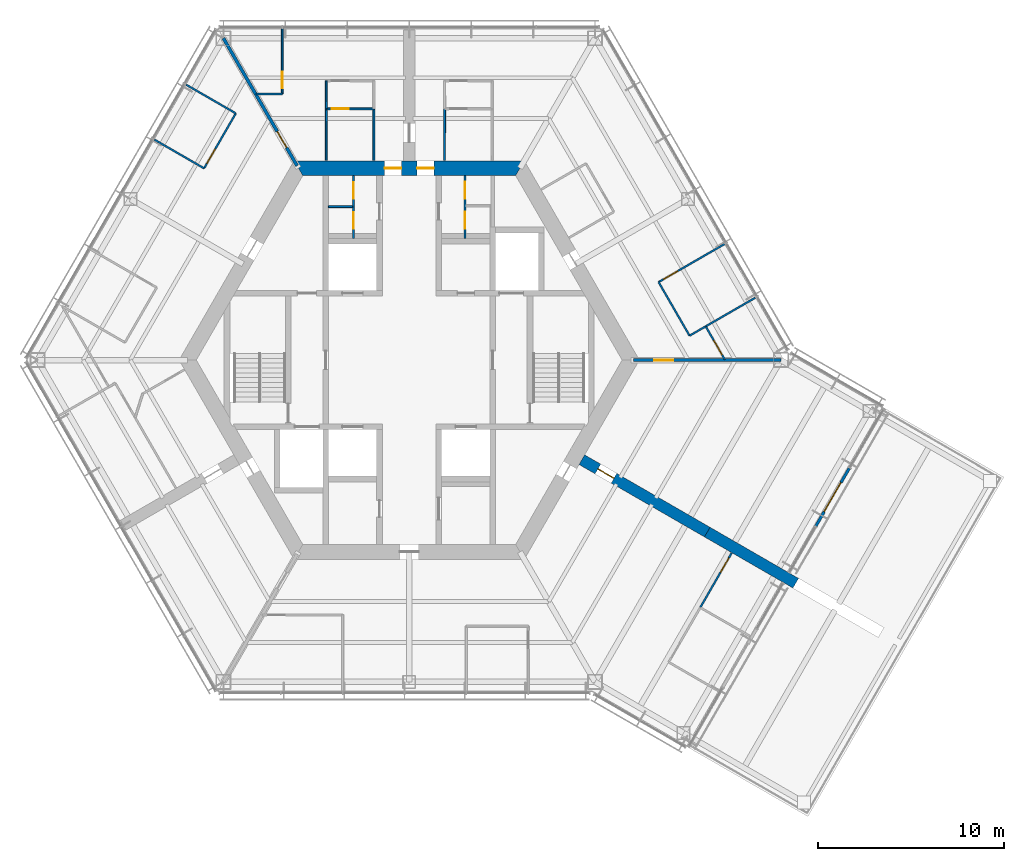
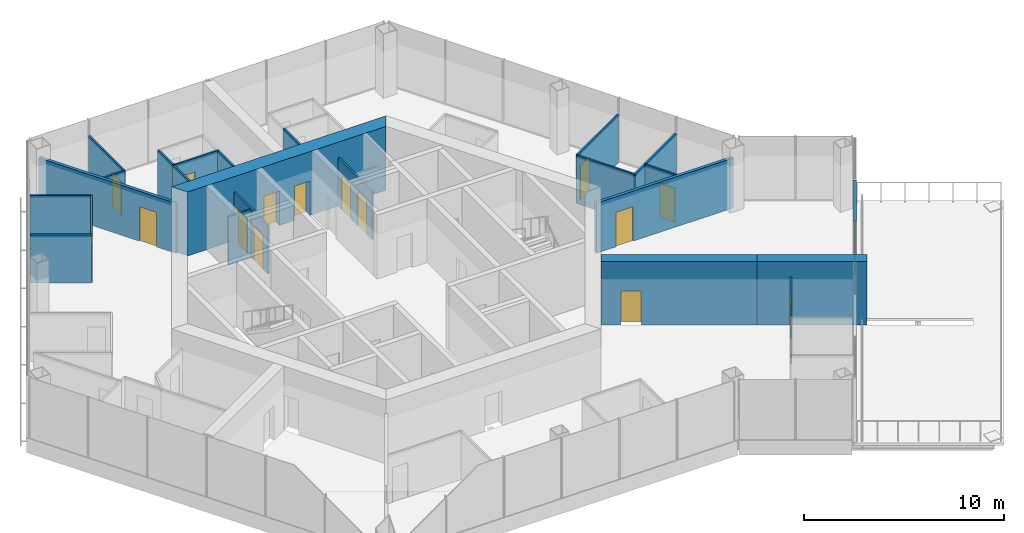
# One storey, part 9 of 13: 25 walls, 16 doors, 16 openings.
"""IFC4 building model written with IfcOpenShell, lengths in metres."""

from ifc_helpers import new_model, si_unit, direction, frame, frame_2d, origin, place, context, subcontext, project, spatial, polyline, rectangle, outline, extrude, material, layer, layer_set, type_object, element, fill, save


model = new_model("IFC4")

# Units and contexts
model_context = context("Model", 3, precision=1e-05, world=origin(), true_north=direction((0.0, 1.0)))
body_context = subcontext(model_context, "Body", "Model", "MODEL_VIEW")
ifc_project = project(units=[si_unit("LENGTHUNIT", "METRE"), si_unit("AREAUNIT", "SQUARE_METRE"), si_unit("VOLUMEUNIT", "CUBIC_METRE"), si_unit("PLANEANGLEUNIT", "RADIAN"), si_unit("MASSUNIT", "GRAM", prefix="KILO")], contexts=[model_context])

# Site, building, storey
site_placement = place(None, origin())
site = spatial("IfcSite", under=ifc_project, at=site_placement, CompositionType="ELEMENT")
building_placement = place(site_placement, origin())
building = spatial("IfcBuilding", under=site, at=building_placement, Name="Kasaneha Research Tower", CompositionType="ELEMENT")
storey_placement = place(building_placement, frame((0.0, 0.0, 267.39990234375)))
storey = spatial("IfcBuildingStorey", under=building, at=storey_placement, Name="L67", CompositionType="ELEMENT", Elevation=267.39990234375)

# Wall, openings, doors
ifc_material_1 = material(Name="Concrete Fc60", Category="concrete")
ifc_layer_1 = layer(ifc_material_1, 0.800048828125)
ifc_layer_set_1 = layer_set([ifc_layer_1], Name="Core wall 800 Fc60")
wall_type_1 = type_object("IfcWallType", Name="Core wall 800 Fc60", PredefinedType="SHEAR", material=ifc_layer_set_1)
wall_1_placement = place(storey_placement, frame((5.961181640625, 10.324951171875, 0.0), z_axis=(0.0, 0.0, 1.0), x_axis=(-1.0, 0.0, 0.0)))
wall_1 = element("IfcWall", 1, at=wall_1_placement, inside=storey, type_object=wall_type_1, Name="Core wall 090 L67", PredefinedType="SHEAR", context=body_context, shape_type="SweptSolid", body=[
    extrude(outline(polyline([(-0.23095703125, -0.39990234375), (4.63623046875, -0.39990234375), (5.5361328125, -0.39990234375), (6.38623046875, -0.39990234375), (7.2861328125, -0.39990234375), (12.1533203125, -0.39990234375), (11.69140625, 0.39990234375), (7.2861328125, 0.39990234375), (6.38623046875, 0.39990234375), (5.5361328125, 0.39990234375), (4.63623046875, 0.39990234375), (0.23095703125, 0.39990234375), (-0.23095703125, -0.39990234375)])), origin(), (0.0, 0.0, 1.0), 3.900146484375),
])
opening_1_placement = place(wall_1_placement, frame((6.38623046875, 0.0, 0.0)))
opening_1 = element("IfcOpeningElement", 2, at=opening_1_placement, cuts=wall_1, Name="Opening L67-D01", PredefinedType="OPENING", context=body_context, shape_type="SweptSolid", body=[
    extrude(rectangle(XDim=0.89990234375, YDim=2.10009765625, at=frame_2d((0.449951171875, 1.050048828125))), frame((0.0, 0.41015625, 0.0), z_axis=(0.0, -1.0, 0.0), x_axis=(1.0, 0.0, 0.0)), (0.0, 0.0, 1.0), 0.820068359375),
])
opening_2_placement = place(wall_1_placement, frame((4.63623046875, 0.0, 0.0)))
opening_2 = element("IfcOpeningElement", 3, at=opening_2_placement, cuts=wall_1, Name="Opening L67-D02", PredefinedType="OPENING", context=body_context, shape_type="SweptSolid", body=[
    extrude(rectangle(XDim=0.89990234375, YDim=2.10009765625, at=frame_2d((0.449951171875, 1.050048828125))), frame((0.0, 0.41015625, 0.0), z_axis=(0.0, -1.0, 0.0), x_axis=(1.0, 0.0, 0.0)), (0.0, 0.0, 1.0), 0.820068359375),
])
ifc_material_2 = material(Name="Steel", Category="steel")
door_type_1 = type_object("IfcDoorType", Name="Toilet door FD20 900x2100", OperationType="NOTDEFINED", PredefinedType="DOOR", material=ifc_material_2)
door_1_placement = place(opening_1_placement, origin())
door_1 = element("IfcDoor", 4, at=door_1_placement, inside=storey, type_object=door_type_1, Name="Core door north 1 L67-D01", OperationType="SINGLE_SWING_RIGHT", OverallHeight=2.10009765625, OverallWidth=0.89990234375, PredefinedType="DOOR", context=body_context, shape_type="SweptSolid", body=[
    extrude(rectangle(XDim=0.89990234375, YDim=2.10009765625, at=frame_2d((0.449951171875, 1.050048828125))), frame((0.0, 0.02490234375, 0.0), z_axis=(0.0, -1.0, 0.0), x_axis=(1.0, 0.0, 0.0)), (0.0, 0.0, 1.0), 0.050048828125),
])
fill(opening_1, door_1)
door_2_placement = place(opening_2_placement, origin())
door_2 = element("IfcDoor", 5, at=door_2_placement, inside=storey, type_object=door_type_1, Name="Core door north 2 L67-D02", OperationType="SINGLE_SWING_LEFT", OverallHeight=2.10009765625, OverallWidth=0.89990234375, PredefinedType="DOOR", context=body_context, shape_type="SweptSolid", body=[
    extrude(rectangle(XDim=0.89990234375, YDim=2.10009765625, at=frame_2d((0.449951171875, 1.050048828125))), frame((0.0, 0.02490234375, 0.0), z_axis=(0.0, -1.0, 0.0), x_axis=(1.0, 0.0, 0.0)), (0.0, 0.0, 1.0), 0.050048828125),
])
fill(opening_2, door_2)

# Wall, opening, door
ifc_material_3 = material(Name="Glass and aluminium", Category="aluminium")
ifc_layer_2 = layer(ifc_material_3, 0.14990234375)
ifc_layer_set_2 = layer_set([ifc_layer_2], Name="Glazed entrance screen 150")
wall_type_2 = type_object("IfcWallType", Name="Glazed entrance screen 150", PredefinedType="STANDARD", material=ifc_layer_set_2)
wall_2_placement = place(storey_placement, frame((21.8828125, -8.93896484375, 0.0), z_axis=(0.0, 0.0, 1.0), x_axis=(0.500012057535, 0.866018442252, 0.0)))
wall_2 = element("IfcWall", 6, at=wall_2_placement, inside=storey, type_object=wall_type_2, Name="Glazed entrance screen L67", PredefinedType="STANDARD", context=body_context, shape_type="SweptSolid", body=[
    extrude(rectangle(XDim=3.60009765625, YDim=0.14990234375, at=frame_2d((1.800048828125, 0.0))), origin(), (0.0, 0.0, 1.0), 3.900146484375),
])
opening_3_placement = place(wall_2_placement, frame((0.89990234375, 0.0, 0.0)))
opening_3 = element("IfcOpeningElement", 7, at=opening_3_placement, cuts=wall_2, Name="Opening L67-ED13", PredefinedType="OPENING", context=body_context, shape_type="SweptSolid", body=[
    extrude(rectangle(XDim=1.800048828125, YDim=2.10009765625, at=frame_2d((0.89990234375, 1.050048828125))), frame((0.0, 0.0849609375, 0.0), z_axis=(0.0, -1.0, 0.0), x_axis=(1.0, 0.0, 0.0)), (0.0, 0.0, 1.0), 0.169921875),
])
ifc_material_4 = material(Name="Glass and aluminium", Category="aluminium")
door_type_2 = type_object("IfcDoorType", Name="Terrace door 1800x2100", OperationType="DOUBLE_DOOR_SINGLE_SWING", PredefinedType="DOOR", material=ifc_material_4)
door_3_placement = place(opening_3_placement, origin())
door_3 = element("IfcDoor", 8, at=door_3_placement, inside=storey, type_object=door_type_2, Name="Terrace door L67-ED13", OperationType="DOUBLE_DOOR_SINGLE_SWING", OverallHeight=2.10009765625, OverallWidth=1.800048828125, PredefinedType="DOOR", context=body_context, shape_type="SweptSolid", body=[
    extrude(rectangle(XDim=1.800048828125, YDim=2.10009765625, at=frame_2d((0.89990234375, 1.050048828125))), frame((0.0, 0.02490234375, 0.0), z_axis=(0.0, -1.0, 0.0), x_axis=(1.0, 0.0, 0.0)), (0.0, 0.0, 1.0), 0.050048828125),
])
fill(opening_3, door_3)

# Wall, openings, doors
ifc_material_5 = material(Name="Gypsum board on steel studs, one layer each side", Category="steel")
ifc_layer_3 = layer(ifc_material_5, 0.10009765625)
ifc_layer_set_3 = layer_set([ifc_layer_3], Name="Office partition 100")
wall_type_3 = type_object("IfcWallType", Name="Office partition 100", PredefinedType="PARTITIONING", material=ifc_layer_set_3)
wall_3_placement = place(storey_placement, frame((-3.0, 6.550048828125, 0.0), z_axis=(0.0, 0.0, 1.0), x_axis=(0.0, 1.0, 0.0)))
wall_3 = element("IfcWall", 9, at=wall_3_placement, inside=storey, type_object=wall_type_3, Name="Office partition TBM1 L67", PredefinedType="PARTITIONING", context=body_context, shape_type="SweptSolid", body=[
    extrude(rectangle(XDim=3.375, YDim=0.10009765625, at=frame_2d((1.6875, 0.0))), origin(), (0.0, 0.0, 1.0), 2.9501953125),
])
opening_4_placement = place(wall_3_placement, frame((0.5048828125, 0.0, 0.0)))
opening_4 = element("IfcOpeningElement", 10, at=opening_4_placement, cuts=wall_3, Name="Opening L67-D21", PredefinedType="OPENING", context=body_context, shape_type="SweptSolid", body=[
    extrude(rectangle(XDim=0.89990234375, YDim=2.10009765625, at=frame_2d((0.449951171875, 1.050048828125))), frame((0.0, 0.06005859375, 0.0), z_axis=(0.0, -1.0, 0.0), x_axis=(1.0, 0.0, 0.0)), (0.0, 0.0, 1.0), 0.1201171875),
])
opening_5_placement = place(wall_3_placement, frame((2.1171875, 0.0, 0.0)))
opening_5 = element("IfcOpeningElement", 11, at=opening_5_placement, cuts=wall_3, Name="Opening L67-D22", PredefinedType="OPENING", context=body_context, shape_type="SweptSolid", body=[
    extrude(rectangle(XDim=0.89990234375, YDim=2.10009765625, at=frame_2d((0.449951171875, 1.050048828125))), frame((0.0, 0.06005859375, 0.0), z_axis=(0.0, -1.0, 0.0), x_axis=(1.0, 0.0, 0.0)), (0.0, 0.0, 1.0), 0.1201171875),
])
ifc_material_6 = material(Name="Steel", Category="steel")
door_type_3 = type_object("IfcDoorType", Name="Toilet lobby door FD30 900x2100", OperationType="NOTDEFINED", PredefinedType="DOOR", material=ifc_material_6)
door_4_placement = place(opening_4_placement, origin())
door_4 = element("IfcDoor", 12, at=door_4_placement, inside=storey, type_object=door_type_3, Name="Men's WC door L67-D21", OperationType="SINGLE_SWING_RIGHT", OverallHeight=2.10009765625, OverallWidth=0.89990234375, PredefinedType="DOOR", context=body_context, shape_type="SweptSolid", body=[
    extrude(rectangle(XDim=0.89990234375, YDim=2.10009765625, at=frame_2d((0.449951171875, 1.050048828125))), frame((0.0, 0.02490234375, 0.0), z_axis=(0.0, -1.0, 0.0), x_axis=(1.0, 0.0, 0.0)), (0.0, 0.0, 1.0), 0.050048828125),
])
fill(opening_4, door_4)
door_5_placement = place(opening_5_placement, origin())
door_5 = element("IfcDoor", 13, at=door_5_placement, inside=storey, type_object=door_type_3, Name="Shower room door L67-D22", OperationType="SINGLE_SWING_RIGHT", OverallHeight=2.10009765625, OverallWidth=0.89990234375, PredefinedType="DOOR", context=body_context, shape_type="SweptSolid", body=[
    extrude(rectangle(XDim=0.89990234375, YDim=2.10009765625, at=frame_2d((0.449951171875, 1.050048828125))), frame((0.0, 0.02490234375, 0.0), z_axis=(0.0, -1.0, 0.0), x_axis=(1.0, 0.0, 0.0)), (0.0, 0.0, 1.0), 0.050048828125),
])
fill(opening_5, door_5)

# Wall
wall_4_placement = place(storey_placement, frame((-3.050048828125, 8.259521484375, 0.0), z_axis=(0.0, 0.0, 1.0), x_axis=(-1.0, 0.0, 0.0)))
element("IfcWall", 14, at=wall_4_placement, inside=storey, type_object=wall_type_3, Name="Office partition TBM2 L67", PredefinedType="PARTITIONING", context=body_context, shape_type="SweptSolid", body=[
    extrude(rectangle(XDim=1.300048828125, YDim=0.10009765625, at=frame_2d((0.64990234375, 0.0))), origin(), (0.0, 0.0, 1.0), 2.9501953125),
])

# Wall, openings, doors
wall_5_placement = place(storey_placement, frame((3.0, 6.550048828125, 0.0), z_axis=(0.0, 0.0, 1.0), x_axis=(0.0, 1.0, 0.0)))
wall_5 = element("IfcWall", 15, at=wall_5_placement, inside=storey, type_object=wall_type_3, Name="Office partition TBF1 L67", PredefinedType="PARTITIONING", context=body_context, shape_type="SweptSolid", body=[
    extrude(rectangle(XDim=3.375, YDim=0.10009765625, at=frame_2d((1.6875, 0.0))), origin(), (0.0, 0.0, 1.0), 2.9501953125),
])
opening_6_placement = place(wall_5_placement, frame((0.52490234375, 0.0, 0.0)))
opening_6 = element("IfcOpeningElement", 16, at=opening_6_placement, cuts=wall_5, Name="Opening L67-D23", PredefinedType="OPENING", context=body_context, shape_type="SweptSolid", body=[
    extrude(rectangle(XDim=0.89990234375, YDim=2.10009765625, at=frame_2d((0.449951171875, 1.050048828125))), frame((0.0, 0.06005859375, 0.0), z_axis=(0.0, -1.0, 0.0), x_axis=(1.0, 0.0, 0.0)), (0.0, 0.0, 1.0), 0.1201171875),
])
opening_7_placement = place(wall_5_placement, frame((2.137451171875, 0.0, 0.0)))
opening_7 = element("IfcOpeningElement", 17, at=opening_7_placement, cuts=wall_5, Name="Opening L67-D24", PredefinedType="OPENING", context=body_context, shape_type="SweptSolid", body=[
    extrude(rectangle(XDim=0.89990234375, YDim=2.10009765625, at=frame_2d((0.449951171875, 1.050048828125))), frame((0.0, 0.06005859375, 0.0), z_axis=(0.0, -1.0, 0.0), x_axis=(1.0, 0.0, 0.0)), (0.0, 0.0, 1.0), 0.1201171875),
])
door_6_placement = place(opening_6_placement, origin())
door_6 = element("IfcDoor", 18, at=door_6_placement, inside=storey, type_object=door_type_3, Name="Women's WC door L67-D23", OperationType="SINGLE_SWING_RIGHT", OverallHeight=2.10009765625, OverallWidth=0.89990234375, PredefinedType="DOOR", context=body_context, shape_type="SweptSolid", body=[
    extrude(rectangle(XDim=0.89990234375, YDim=2.10009765625, at=frame_2d((0.449951171875, 1.050048828125))), frame((0.0, 0.02490234375, 0.0), z_axis=(0.0, -1.0, 0.0), x_axis=(1.0, 0.0, 0.0)), (0.0, 0.0, 1.0), 0.050048828125),
])
fill(opening_6, door_6)
door_7_placement = place(opening_7_placement, origin())
door_7 = element("IfcDoor", 19, at=door_7_placement, inside=storey, type_object=door_type_3, Name="Cleaner's store door L67-D24", OperationType="SINGLE_SWING_RIGHT", OverallHeight=2.10009765625, OverallWidth=0.89990234375, PredefinedType="DOOR", context=body_context, shape_type="SweptSolid", body=[
    extrude(rectangle(XDim=0.89990234375, YDim=2.10009765625, at=frame_2d((0.449951171875, 1.050048828125))), frame((0.0, 0.02490234375, 0.0), z_axis=(0.0, -1.0, 0.0), x_axis=(1.0, 0.0, 0.0)), (0.0, 0.0, 1.0), 0.050048828125),
])
fill(opening_7, door_7)

# Walls
wall_6_placement = place(storey_placement, frame((1.89990234375, 10.7451171875, 0.0), z_axis=(0.0, 0.0, 1.0), x_axis=(0.001668713644, 0.999998607696, 0.0)))
element("IfcWall", 20, at=wall_6_placement, inside=storey, type_object=wall_type_3, Name="Office partition FAE02 L67", PredefinedType="PARTITIONING", context=body_context, shape_type="SweptSolid", body=[
    extrude(rectangle(XDim=2.77978515625, YDim=0.10009765625, at=frame_2d((1.389892578125, 0.0))), origin(), (0.0, 0.0, 1.0), 2.9501953125),
])
wall_7_placement = place(storey_placement, frame((18.619873046875, 3.3505859375, 0.0), z_axis=(0.0, 0.0, 1.0), x_axis=(-0.866043267704, -0.499969057507, 0.0)))
element("IfcWall", 21, at=wall_7_placement, inside=storey, type_object=wall_type_3, Name="Office partition FAE10 L67", PredefinedType="PARTITIONING", context=body_context, shape_type="SweptSolid", body=[
    extrude(rectangle(XDim=3.085205078125, YDim=0.10009765625, at=frame_2d((1.54248046875, 0.0))), origin(), (0.0, 0.0, 1.0), 2.9501953125),
])

# Wall, opening, door
wall_8_placement = place(storey_placement, frame((13.4208984375, 4.1953125, 0.0), z_axis=(0.0, 0.0, 1.0), x_axis=(0.866045435662, 0.499965302165, 0.0)))
wall_8 = element("IfcWall", 22, at=wall_8_placement, inside=storey, type_object=wall_type_3, Name="Office partition FAE11 L67", PredefinedType="PARTITIONING", context=body_context, shape_type="SweptSolid", body=[
    extrude(rectangle(XDim=4.090087890625, YDim=0.10009765625, at=frame_2d((2.044921875, 0.0))), origin(), (0.0, 0.0, 1.0), 2.9501953125),
])
opening_8_placement = place(wall_8_placement, frame((0.300048828125, 0.0, 0.0)))
opening_8 = element("IfcOpeningElement", 23, at=opening_8_placement, cuts=wall_8, Name="Opening L67-D31", PredefinedType="OPENING", context=body_context, shape_type="SweptSolid", body=[
    extrude(rectangle(XDim=0.89990234375, YDim=2.10009765625, at=frame_2d((0.449951171875, 1.050048828125))), frame((0.0, 0.06005859375, 0.0), z_axis=(0.0, -1.0, 0.0), x_axis=(1.0, 0.0, 0.0)), (0.0, 0.0, 1.0), 0.1201171875),
])
ifc_material_7 = material(Name="Timber veneer", Category="wood")
door_type_4 = type_object("IfcDoorType", Name="Office door 900x2100", OperationType="SINGLE_SWING_LEFT", PredefinedType="DOOR", material=ifc_material_7)
door_8_placement = place(opening_8_placement, origin())
door_8 = element("IfcDoor", 24, at=door_8_placement, inside=storey, type_object=door_type_4, Name="Meeting room door L67-D31", OperationType="SINGLE_SWING_LEFT", OverallHeight=2.10009765625, OverallWidth=0.89990234375, PredefinedType="DOOR", context=body_context, shape_type="SweptSolid", body=[
    extrude(rectangle(XDim=0.89990234375, YDim=2.10009765625, at=frame_2d((0.449951171875, 1.050048828125))), frame((0.0, 0.02490234375, 0.0), z_axis=(0.0, -1.0, 0.0), x_axis=(1.0, 0.0, 0.0)), (0.0, 0.0, 1.0), 0.050048828125),
])
fill(opening_8, door_8)

# Walls
wall_9_placement = place(storey_placement, frame((15.08642578125, 1.310546875, 0.0), z_axis=(0.0, 0.0, 1.0), x_axis=(-0.500001606164, 0.866024476463, 0.0)))
element("IfcWall", 25, at=wall_9_placement, inside=storey, type_object=wall_type_3, Name="Office partition FAE12 L67", PredefinedType="PARTITIONING", context=body_context, shape_type="SweptSolid", body=[
    extrude(rectangle(XDim=3.3310546875, YDim=0.10009765625, at=frame_2d((1.66552734375, 0.0))), origin(), (0.0, 0.0, 1.0), 2.9501953125),
])
wall_10_placement = place(storey_placement, frame((15.956298828125, 1.812744140625, 0.0), z_axis=(0.0, 0.0, 1.0), x_axis=(-0.866035824272, -0.499981950752, 0.0)))
element("IfcWall", 26, at=wall_10_placement, inside=storey, type_object=wall_type_3, Name="Office partition FAE13 L67", PredefinedType="PARTITIONING", context=body_context, shape_type="SweptSolid", body=[
    extrude(rectangle(XDim=1.00439453125, YDim=0.10009765625, at=frame_2d((0.502197265625, 0.0))), origin(), (0.0, 0.0, 1.0), 2.9501953125),
])

# Wall, opening, door
wall_11_placement = place(storey_placement, frame((16.986083984375, 0.02001953125, 0.0), z_axis=(0.0, 0.0, 1.0), x_axis=(-0.498096123952, 0.867121820337, 0.0)))
wall_11 = element("IfcWall", 27, at=wall_11_placement, inside=storey, type_object=wall_type_3, Name="Office partition FAE14 L67", PredefinedType="PARTITIONING", context=body_context, shape_type="SweptSolid", body=[
    extrude(rectangle(XDim=2.0673828125, YDim=0.10009765625, at=frame_2d((1.03369140625, 0.0))), origin(), (0.0, 0.0, 1.0), 2.9501953125),
])
opening_9_placement = place(wall_11_placement, frame((0.300048828125, 0.0, 0.0)))
opening_9 = element("IfcOpeningElement", 28, at=opening_9_placement, cuts=wall_11, Name="Opening L67-D32", PredefinedType="OPENING", context=body_context, shape_type="SweptSolid", body=[
    extrude(rectangle(XDim=0.89990234375, YDim=2.10009765625, at=frame_2d((0.449951171875, 1.050048828125))), frame((0.0, 0.06005859375, 0.0), z_axis=(0.0, -1.0, 0.0), x_axis=(1.0, 0.0, 0.0)), (0.0, 0.0, 1.0), 0.1201171875),
])
door_9_placement = place(opening_9_placement, origin())
door_9 = element("IfcDoor", 29, at=door_9_placement, inside=storey, type_object=door_type_4, Name="Workroom door L67-D32", OperationType="SINGLE_SWING_LEFT", OverallHeight=2.10009765625, OverallWidth=0.89990234375, PredefinedType="DOOR", context=body_context, shape_type="SweptSolid", body=[
    extrude(rectangle(XDim=0.89990234375, YDim=2.10009765625, at=frame_2d((0.449951171875, 1.050048828125))), frame((0.0, 0.02490234375, 0.0), z_axis=(0.0, -1.0, 0.0), x_axis=(1.0, 0.0, 0.0)), (0.0, 0.0, 1.0), 0.050048828125),
])
fill(opening_9, door_9)

wall_12_placement = place(storey_placement, frame((-4.465087890625, 13.52001953125, 0.0), z_axis=(0.0, 0.0, 1.0), x_axis=(1.0, 0.0, 0.0)))
wall_12 = element("IfcWall", 30, at=wall_12_placement, inside=storey, type_object=wall_type_3, Name="Office partition FAW01 L67", PredefinedType="PARTITIONING", context=body_context, shape_type="SweptSolid", body=[
    extrude(rectangle(XDim=2.565185546875, YDim=0.10009765625, at=frame_2d((1.28271484375, 0.0))), origin(), (0.0, 0.0, 1.0), 2.9501953125),
])
opening_10_placement = place(wall_12_placement, frame((0.300048828125, 0.0, 0.0)))
opening_10 = element("IfcOpeningElement", 31, at=opening_10_placement, cuts=wall_12, Name="Opening L67-D33", PredefinedType="OPENING", context=body_context, shape_type="SweptSolid", body=[
    extrude(rectangle(XDim=0.89990234375, YDim=2.10009765625, at=frame_2d((0.449951171875, 1.050048828125))), frame((0.0, 0.06005859375, 0.0), z_axis=(0.0, -1.0, 0.0), x_axis=(1.0, 0.0, 0.0)), (0.0, 0.0, 1.0), 0.1201171875),
])
door_10_placement = place(opening_10_placement, origin())
door_10 = element("IfcDoor", 32, at=door_10_placement, inside=storey, type_object=door_type_3, Name="Men's WC door L67-D33", OperationType="SINGLE_SWING_LEFT", OverallHeight=2.10009765625, OverallWidth=0.89990234375, PredefinedType="DOOR", context=body_context, shape_type="SweptSolid", body=[
    extrude(rectangle(XDim=0.89990234375, YDim=2.10009765625, at=frame_2d((0.449951171875, 1.050048828125))), frame((0.0, 0.02490234375, 0.0), z_axis=(0.0, -1.0, 0.0), x_axis=(1.0, 0.0, 0.0)), (0.0, 0.0, 1.0), 0.050048828125),
])
fill(opening_10, door_10)

# Walls
for number, where, z_axis, x_axis, name in (
    (33, (-4.465087890625, 10.7451171875, 0.0), (0.0, 0.0, 1.0), (0.001668713644, 0.999998607696, 0.0), "Office partition FAW02 L67"),
    (34, (-1.90478515625, 13.52490234375, 0.0), (0.0, 0.0, 1.0), (0.001756540413, -0.999998457282, 0.0), "Office partition FAW03 L67"),
):
    element("IfcWall", number, at=place(storey_placement, frame(where, z_axis=z_axis, x_axis=x_axis)), inside=storey, type_object=wall_type_3, Name=name, PredefinedType="PARTITIONING", context=body_context, shape_type="SweptSolid", body=[
        extrude(rectangle(XDim=2.77978515625, YDim=0.10009765625, at=frame_2d((1.389892578125, 0.0))), origin(), (0.0, 0.0, 1.0), 2.9501953125),
    ])
wall_13_placement = place(storey_placement, frame((-4.46044921875, 13.52490234375, 0.0), z_axis=(0.0, 0.0, 1.0), x_axis=(-0.00309243313, 0.999995218417, 0.0)))
element("IfcWall", 35, at=wall_13_placement, inside=storey, type_object=wall_type_3, Name="Office partition FAW05 L67", PredefinedType="PARTITIONING", context=body_context, shape_type="SweptSolid", body=[
    extrude(rectangle(XDim=1.5, YDim=0.10009765625, at=frame_2d((0.75, 0.0))), origin(), (0.0, 0.0, 1.0), 2.9501953125),
])
wall_14_placement = place(storey_placement, frame((-6.830810546875, 14.320556640625, 0.0), z_axis=(0.0, 0.0, 1.0), x_axis=(-1.0, 0.0, 0.0)))
element("IfcWall", 36, at=wall_14_placement, inside=storey, type_object=wall_type_3, Name="Office partition FAW07 L67", PredefinedType="PARTITIONING", context=body_context, shape_type="SweptSolid", body=[
    extrude(rectangle(XDim=1.4140625, YDim=0.10009765625, at=frame_2d((0.70703125, 0.0))), origin(), (0.0, 0.0, 1.0), 2.9501953125),
])

# Wall, opening, door
wall_15_placement = place(storey_placement, frame((-6.830810546875, 17.83544921875, 0.0), z_axis=(0.0, 0.0, 1.0), x_axis=(0.0, -1.0, 0.0)))
wall_15 = element("IfcWall", 37, at=wall_15_placement, inside=storey, type_object=wall_type_3, Name="Office partition FAW08 L67", PredefinedType="PARTITIONING", context=body_context, shape_type="SweptSolid", body=[
    extrude(rectangle(XDim=3.514892578125, YDim=0.10009765625, at=frame_2d((1.75732421875, 0.0))), origin(), (0.0, 0.0, 1.0), 2.9501953125),
])
opening_11_placement = place(wall_15_placement, frame((2.31494140625, 0.0, 0.0)))
opening_11 = element("IfcOpeningElement", 38, at=opening_11_placement, cuts=wall_15, Name="Opening L67-D35", PredefinedType="OPENING", context=body_context, shape_type="SweptSolid", body=[
    extrude(rectangle(XDim=0.89990234375, YDim=2.10009765625, at=frame_2d((0.449951171875, 1.050048828125))), frame((0.0, 0.06005859375, 0.0), z_axis=(0.0, -1.0, 0.0), x_axis=(1.0, 0.0, 0.0)), (0.0, 0.0, 1.0), 0.1201171875),
])
door_11_placement = place(opening_11_placement, origin())
door_11 = element("IfcDoor", 39, at=door_11_placement, inside=storey, type_object=door_type_4, Name="Interview room door L67-D35", OperationType="SINGLE_SWING_RIGHT", OverallHeight=2.10009765625, OverallWidth=0.89990234375, PredefinedType="DOOR", context=body_context, shape_type="SweptSolid", body=[
    extrude(rectangle(XDim=0.89990234375, YDim=2.10009765625, at=frame_2d((0.449951171875, 1.050048828125))), frame((0.0, 0.02490234375, 0.0), z_axis=(0.0, -1.0, 0.0), x_axis=(1.0, 0.0, 0.0)), (0.0, 0.0, 1.0), 0.050048828125),
])
fill(opening_11, door_11)

# Walls
wall_16_placement = place(storey_placement, frame((-12.000244140625, 14.81591796875, 0.0), z_axis=(0.0, 0.0, 1.0), x_axis=(0.866010015463, -0.500026652407, 0.0)))
element("IfcWall", 40, at=wall_16_placement, inside=storey, type_object=wall_type_3, Name="Office partition FBN10 L67", PredefinedType="PARTITIONING", context=body_context, shape_type="SweptSolid", body=[
    extrude(rectangle(XDim=3.079833984375, YDim=0.10009765625, at=frame_2d((1.5400390625, 0.0))), origin(), (0.0, 0.0, 1.0), 2.9501953125),
])
wall_17_placement = place(storey_placement, frame((-11.04052734375, 10.318115234375, 0.0), z_axis=(0.0, 0.0, 1.0), x_axis=(-0.866056658381, 0.499945861543, 0.0)))
element("IfcWall", 41, at=wall_17_placement, inside=storey, type_object=wall_type_3, Name="Office partition FBN11 L67", PredefinedType="PARTITIONING", context=body_context, shape_type="SweptSolid", body=[
    extrude(rectangle(XDim=3.090087890625, YDim=0.10009765625, at=frame_2d((1.544921875, 0.0))), origin(), (0.0, 0.0, 1.0), 2.9501953125),
])

# Wall, opening, door
wall_18_placement = place(storey_placement, frame((-9.3330078125, 13.27587890625, 0.0), z_axis=(0.0, 0.0, 1.0), x_axis=(-0.499967911108, -0.866043929522, 0.0)))
wall_18 = element("IfcWall", 42, at=wall_18_placement, inside=storey, type_object=wall_type_3, Name="Office partition FBN12 L67", PredefinedType="PARTITIONING", context=body_context, shape_type="SweptSolid", body=[
    extrude(rectangle(XDim=3.415283203125, YDim=0.10009765625, at=frame_2d((1.70751953125, 0.0))), origin(), (0.0, 0.0, 1.0), 2.9501953125),
])
opening_12_placement = place(wall_18_placement, frame((2.215576171875, 0.0, 0.0)))
opening_12 = element("IfcOpeningElement", 43, at=opening_12_placement, cuts=wall_18, Name="Opening L67-D39", PredefinedType="OPENING", context=body_context, shape_type="SweptSolid", body=[
    extrude(rectangle(XDim=0.89990234375, YDim=2.10009765625, at=frame_2d((0.449951171875, 1.050048828125))), frame((0.0, 0.06005859375, 0.0), z_axis=(0.0, -1.0, 0.0), x_axis=(1.0, 0.0, 0.0)), (0.0, 0.0, 1.0), 0.1201171875),
])
door_12_placement = place(opening_12_placement, origin())
door_12 = element("IfcDoor", 44, at=door_12_placement, inside=storey, type_object=door_type_4, Name="Workroom door L67-D39", OperationType="SINGLE_SWING_RIGHT", OverallHeight=2.10009765625, OverallWidth=0.89990234375, PredefinedType="DOOR", context=body_context, shape_type="SweptSolid", body=[
    extrude(rectangle(XDim=0.89990234375, YDim=2.10009765625, at=frame_2d((0.449951171875, 1.050048828125))), frame((0.0, 0.02490234375, 0.0), z_axis=(0.0, -1.0, 0.0), x_axis=(1.0, 0.0, 0.0)), (0.0, 0.0, 1.0), 0.050048828125),
])
fill(opening_12, door_12)

wall_19_placement = place(storey_placement, frame((15.665283203125, -13.31689453125, 0.0), z_axis=(0.0, 0.0, 1.0), x_axis=(0.498882251571, 0.866669775098, 0.0)))
wall_19 = element("IfcWall", 45, at=wall_19_placement, inside=storey, type_object=wall_type_3, Name="Office partition FCS09 L67", PredefinedType="PARTITIONING", context=body_context, shape_type="SweptSolid", body=[
    extrude(rectangle(XDim=3.380126953125, YDim=0.10009765625, at=frame_2d((1.68994140625, 0.0))), origin(), (0.0, 0.0, 1.0), 2.9501953125),
])
opening_13_placement = place(wall_19_placement, frame((2.179931640625, 0.0, 0.0)))
opening_13 = element("IfcOpeningElement", 46, at=opening_13_placement, cuts=wall_19, Name="Opening L67-D44", PredefinedType="OPENING", context=body_context, shape_type="SweptSolid", body=[
    extrude(rectangle(XDim=0.89990234375, YDim=2.10009765625, at=frame_2d((0.449951171875, 1.050048828125))), frame((0.0, 0.06005859375, 0.0), z_axis=(0.0, -1.0, 0.0), x_axis=(1.0, 0.0, 0.0)), (0.0, 0.0, 1.0), 0.1201171875),
])
door_13_placement = place(opening_13_placement, origin())
door_13 = element("IfcDoor", 47, at=door_13_placement, inside=storey, type_object=door_type_4, Name="Phone room door L67-D44", OperationType="SINGLE_SWING_RIGHT", OverallHeight=2.10009765625, OverallWidth=0.89990234375, PredefinedType="DOOR", context=body_context, shape_type="SweptSolid", body=[
    extrude(rectangle(XDim=0.89990234375, YDim=2.10009765625, at=frame_2d((0.449951171875, 1.050048828125))), frame((0.0, 0.02490234375, 0.0), z_axis=(0.0, -1.0, 0.0), x_axis=(1.0, 0.0, 0.0)), (0.0, 0.0, 1.0), 0.050048828125),
])
fill(opening_13, door_13)

ifc_material_8 = material(Name="Concrete Fc60", Category="concrete")
ifc_layer_4 = layer(ifc_material_8, 0.60009765625)
ifc_layer_set_4 = layer_set([ifc_layer_4], Name="Spine wall 600 Fc60")
wall_type_4 = type_object("IfcWallType", Name="Spine wall 600 Fc60", PredefinedType="SHEAR", material=ifc_layer_set_4)
wall_20_placement = place(storey_placement, frame((9.2880859375, -5.362548828125, 0.0), z_axis=(0.0, 0.0, 1.0), x_axis=(0.866031736626, -0.499989031036, 0.0)))
wall_20 = element("IfcWall", 48, at=wall_20_placement, inside=storey, type_object=wall_type_4, Name="Spine wall C L67", PredefinedType="SHEAR", context=body_context, shape_type="SweptSolid", body=[
    extrude(rectangle(XDim=7.795654296875, YDim=0.60009765625, at=frame_2d((3.89794921875, 0.0))), origin(), (0.0, 0.0, 1.0), 3.900146484375),
])
opening_14_placement = place(wall_20_placement, frame((1.0, 0.0, 0.0)))
opening_14 = element("IfcOpeningElement", 49, at=opening_14_placement, cuts=wall_20, Name="Opening L67-D20", PredefinedType="OPENING", context=body_context, shape_type="SweptSolid", body=[
    extrude(rectangle(XDim=1.0, YDim=2.10009765625, at=frame_2d((0.5, 1.050048828125))), frame((0.0, 0.31005859375, 0.0), z_axis=(0.0, -1.0, 0.0), x_axis=(1.0, 0.0, 0.0)), (0.0, 0.0, 1.0), 0.6201171875),
])
ifc_material_9 = material(Name="Steel", Category="steel")
door_type_5 = type_object("IfcDoorType", Name="Specified fire door FD60 1000x2100", OperationType="NOTDEFINED", PredefinedType="DOOR", material=ifc_material_9)
door_14_placement = place(opening_14_placement, origin())
door_14 = element("IfcDoor", 50, at=door_14_placement, inside=storey, type_object=door_type_5, Name="Spine doorway C L67-D20", OperationType="SINGLE_SWING_LEFT", OverallHeight=2.10009765625, OverallWidth=1.0, PredefinedType="DOOR", context=body_context, shape_type="SweptSolid", body=[
    extrude(rectangle(XDim=1.0, YDim=2.10009765625, at=frame_2d((0.5, 1.050048828125))), frame((0.0, 0.02490234375, 0.0), z_axis=(0.0, -1.0, 0.0), x_axis=(1.0, 0.0, 0.0)), (0.0, 0.0, 1.0), 0.050048828125),
])
fill(opening_14, door_14)

# Wall
wall_21_placement = place(storey_placement, frame((16.039306640625, -9.26025390625, 0.0), z_axis=(0.0, 0.0, 1.0), x_axis=(0.866027397988, -0.499996545922, 0.0)))
element("IfcWall", 51, at=wall_21_placement, inside=storey, type_object=wall_type_4, Name="Spine wall C wing L67", PredefinedType="SHEAR", context=body_context, shape_type="SweptSolid", body=[
    extrude(rectangle(XDim=5.5, YDim=0.60009765625, at=frame_2d((2.75, 0.0))), origin(), (0.0, 0.0, 1.0), 3.900146484375),
])

# Wall, opening, door
ifc_material_10 = material(Name="Gypsum board on steel studs, two layers each side", Category="steel")
ifc_layer_5 = layer(ifc_material_10, 0.175048828125)
ifc_layer_set_5 = layer_set([ifc_layer_5], Name="Tenancy fire partition 175")
wall_type_5 = type_object("IfcWallType", Name="Tenancy fire partition 175", PredefinedType="PARTITIONING", material=ifc_layer_set_5)
wall_22_placement = place(storey_placement, frame((12.069580078125, 0.0, 0.0), z_axis=(0.0, 0.0, 1.0), x_axis=(1.0, 0.0, 0.0)))
wall_22 = element("IfcWall", 52, at=wall_22_placement, inside=storey, type_object=wall_type_5, Name="Tenancy fire partition T000 L67", PredefinedType="PARTITIONING", context=body_context, shape_type="SweptSolid", body=[
    extrude(rectangle(XDim=7.930419921875, YDim=0.175048828125, at=frame_2d((3.96533203125, 0.0))), origin(), (0.0, 0.0, 1.0), 3.050048828125),
])
opening_15_placement = place(wall_22_placement, frame((1.1298828125, 0.0, 0.0)))
opening_15 = element("IfcOpeningElement", 53, at=opening_15_placement, cuts=wall_22, Name="Opening L67-D25", PredefinedType="OPENING", context=body_context, shape_type="SweptSolid", body=[
    extrude(rectangle(XDim=1.0, YDim=2.10009765625, at=frame_2d((0.5, 1.050048828125))), frame((0.0, 0.09765625, 0.0), z_axis=(0.0, -1.0, 0.0), x_axis=(1.0, 0.0, 0.0)), (0.0, 0.0, 1.0), 0.195068359375),
])
ifc_material_11 = material(Name="Steel", Category="steel")
door_type_6 = type_object("IfcDoorType", Name="Suite entrance door FD60 1000x2100", OperationType="NOTDEFINED", PredefinedType="DOOR", material=ifc_material_11)
door_15_placement = place(opening_15_placement, origin())
door_15 = element("IfcDoor", 54, at=door_15_placement, inside=storey, type_object=door_type_6, Name="Connecting door L67-D25", OperationType="SINGLE_SWING_LEFT", OverallHeight=2.10009765625, OverallWidth=1.0, PredefinedType="DOOR", context=body_context, shape_type="SweptSolid", body=[
    extrude(rectangle(XDim=1.0, YDim=2.10009765625, at=frame_2d((0.5, 1.050048828125))), frame((0.0, 0.02490234375, 0.0), z_axis=(0.0, -1.0, 0.0), x_axis=(1.0, 0.0, 0.0)), (0.0, 0.0, 1.0), 0.050048828125),
])
fill(opening_15, door_15)

wall_23_placement = place(storey_placement, frame((-6.034912109375, 10.45263671875, 0.0), z_axis=(0.0, 0.0, 1.0), x_axis=(-0.499989830942, 0.866031274813, 0.0)))
wall_23 = element("IfcWall", 55, at=wall_23_placement, inside=storey, type_object=wall_type_5, Name="Tenancy fire partition T120 L67", PredefinedType="PARTITIONING", context=body_context, shape_type="SweptSolid", body=[
    extrude(rectangle(XDim=7.930419921875, YDim=0.175048828125, at=frame_2d((3.96533203125, 0.0))), origin(), (0.0, 0.0, 1.0), 3.050048828125),
])
opening_16_placement = place(wall_23_placement, frame((1.1298828125, 0.0, 0.0)))
opening_16 = element("IfcOpeningElement", 56, at=opening_16_placement, cuts=wall_23, Name="Opening L67-D26", PredefinedType="OPENING", context=body_context, shape_type="SweptSolid", body=[
    extrude(rectangle(XDim=1.0, YDim=2.10009765625, at=frame_2d((0.5, 1.050048828125))), frame((0.0, 0.09765625, 0.0), z_axis=(0.0, -1.0, 0.0), x_axis=(1.0, 0.0, 0.0)), (0.0, 0.0, 1.0), 0.195068359375),
])
door_16_placement = place(opening_16_placement, origin())
door_16 = element("IfcDoor", 57, at=door_16_placement, inside=storey, type_object=door_type_6, Name="Connecting door L67-D26", OperationType="SINGLE_SWING_LEFT", OverallHeight=2.10009765625, OverallWidth=1.0, PredefinedType="DOOR", context=body_context, shape_type="SweptSolid", body=[
    extrude(rectangle(XDim=1.0, YDim=2.10009765625, at=frame_2d((0.5, 1.050048828125))), frame((0.0, 0.02490234375, 0.0), z_axis=(0.0, -1.0, 0.0), x_axis=(1.0, 0.0, 0.0)), (0.0, 0.0, 1.0), 0.050048828125),
])
fill(opening_16, door_16)

save(model, "model.ifc")
